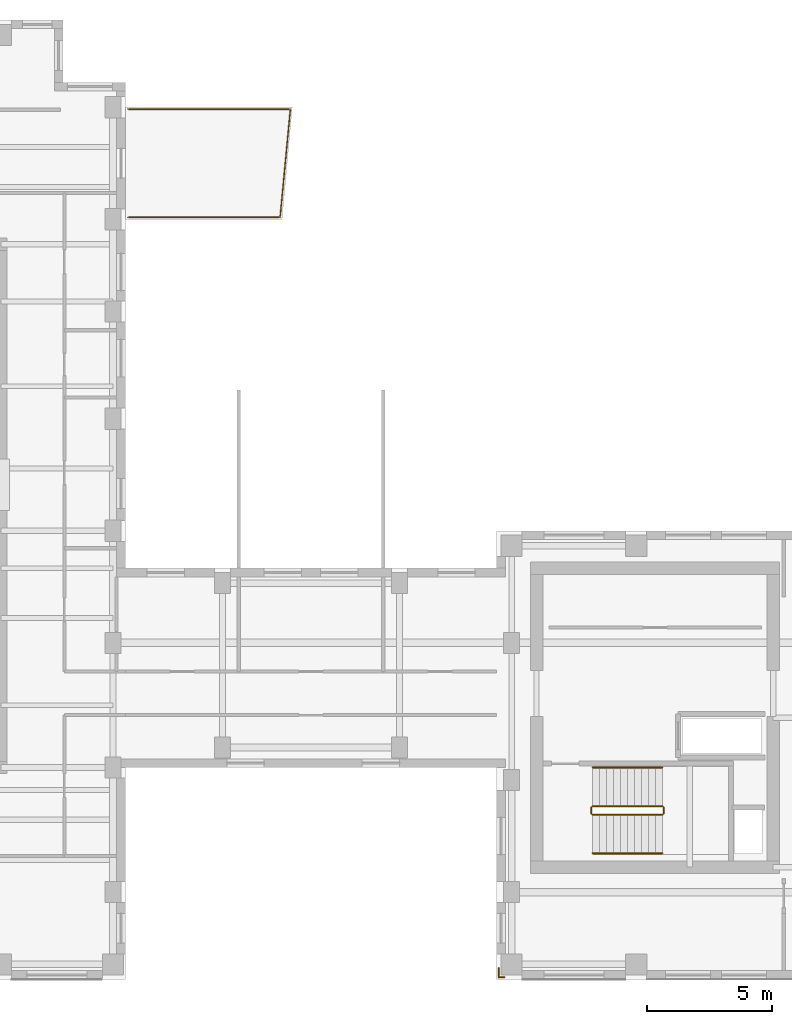
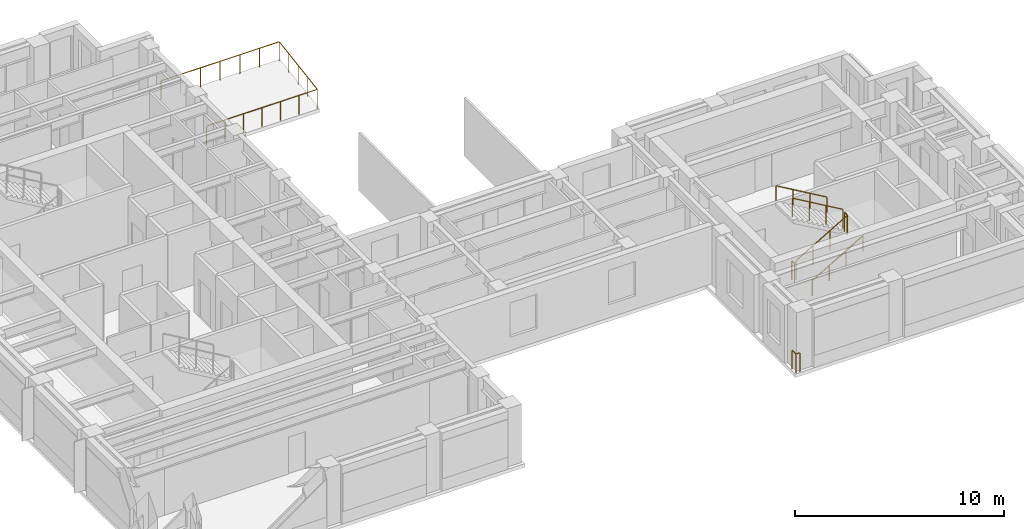
# One storey, part 10 of 10: 8 railings.
"""IFC4 building model written with IfcOpenShell, lengths in metres."""

from ifc_helpers import new_model, si_unit, direction, frame, origin, origin_2d, place, context, subcontext, project, spatial, circle, extrude, source, transform, mapped, material, layer, layer_set, type_object, element, save


model = new_model("IFC4")

# Units and contexts
model_context = context("Model", 3, precision=1e-05, world=origin(), true_north=direction((0.0, 1.0)))
body_context = subcontext(model_context, "Body", "Model", "MODEL_VIEW")
ifc_project = project(units=[si_unit("LENGTHUNIT", "METRE"), si_unit("AREAUNIT", "SQUARE_METRE"), si_unit("VOLUMEUNIT", "CUBIC_METRE"), si_unit("PLANEANGLEUNIT", "RADIAN"), si_unit("MASSUNIT", "GRAM", prefix="KILO")], contexts=[model_context])

# Site, building, storey
site_placement = place(None, origin())
site = spatial("IfcSite", under=ifc_project, at=site_placement, CompositionType="ELEMENT")
building_placement = place(site_placement, origin())
building = spatial("IfcBuilding", under=site, at=building_placement, Name="Kharzan Plaza Tower", CompositionType="ELEMENT")
storey_placement = place(building_placement, frame((0.0, 0.0, 223.199951171875)))
storey = spatial("IfcBuildingStorey", under=building, at=storey_placement, Name="L60", CompositionType="ELEMENT", Elevation=223.199951171875)

# Railings
ifc_material_1 = material(Name="Painted Galvanized Architectural Steel", Category="steel")
ifc_layer_1 = layer(ifc_material_1, 0.074951171875)
ifc_layer_set_1 = layer_set([ifc_layer_1], Name="Painted Galvanized Architectural Steel")
railing_type_1 = type_object("IfcRailingType", Name="RL-GUARD-1120", PredefinedType="BALUSTRADE", material=ifc_layer_set_1)
shared_shape_1 = source(origin(), body_context, "Body", "SweptSolid", [
    extrude(circle(Radius=0.02392578125, at=origin_2d()), frame((0.0, 0.0263671875, 1.09619140625), z_axis=(0.0, 1.0, 0.0), x_axis=(-1.0, 0.0, 0.0)), (0.0, 0.0, 1.0), 0.197021484375),
    extrude(circle(Radius=0.02099609375, at=origin_2d()), origin(), (0.0, 0.0, 1.0), 1.072021484375),
    extrude(circle(Radius=0.02099609375, at=origin_2d()), frame((0.0, 0.25, 0.0)), (0.0, 0.0, 1.0), 1.072021484375),
])
for number, where, name in (
    (1, (41.10009765625, 6.64990234375, 1.800048828125), "L60 ST-3 stair guard 2"),
    (2, (38.199951171875, 6.64990234375, 0.0), "L60 ST-3 stair guard 4"),
):
    element("IfcRailing", number, at=place(storey_placement, frame(where)), inside=storey, type_object=railing_type_1, Name=name, PredefinedType="BALUSTRADE", context=body_context, shape_type="MappedRepresentation", body=[
        mapped(shared_shape_1, transform((0.0, 0.0, 0.0), x_axis=(1.0, 0.0, 0.0), y_axis=(0.0, 1.0, 0.0), z_axis=(0.0, 0.0, 1.0))),
    ])
shared_shape_2 = source(origin(), body_context, "Body", "SweptSolid", [
    extrude(circle(Radius=0.02392578125, at=origin_2d()), frame((0.02294921875, 0.0, 1.109375), z_axis=(0.863360870873, 0.0, 0.504586966384), x_axis=(0.0, 1.0, 0.0)), (0.0, 0.0, 1.0), 3.190185546875),
    extrude(circle(Radius=0.02099609375, at=origin_2d()), origin(), (0.0, 0.0, 1.0), 1.072021484375),
    extrude(circle(Radius=0.02099609375, at=origin_2d()), frame((0.933349609375, 0.0, 0.54541015625)), (0.0, 0.0, 1.0), 1.072021484375),
    extrude(circle(Radius=0.02099609375, at=origin_2d()), frame((1.86669921875, 0.0, 1.091064453125)), (0.0, 0.0, 1.0), 1.072021484375),
    extrude(circle(Radius=0.02099609375, at=origin_2d()), frame((2.800048828125, 0.0, 1.636474609375)), (0.0, 0.0, 1.0), 1.072021484375),
])
railing_1_placement = place(storey_placement, frame((38.25, 6.60009765625, 0.16357421875)))
element("IfcRailing", 3, at=railing_1_placement, inside=storey, type_object=railing_type_1, Name="L60 ST-3 stair guard 1", PredefinedType="BALUSTRADE", context=body_context, shape_type="MappedRepresentation", body=[
    mapped(shared_shape_2, transform((0.0, 0.0, 0.0), x_axis=(1.0, 0.0, 0.0), y_axis=(0.0, 1.0, 0.0), z_axis=(0.0, 0.0, 1.0))),
])
shared_shape_3 = source(origin(), body_context, "Body", "SweptSolid", [
    extrude(circle(Radius=0.02392578125, at=origin_2d()), frame((-0.02294921875, 0.0, 1.109375), z_axis=(-0.863360870873, 0.0, 0.504586966384), x_axis=(0.0, -1.0, 0.0)), (0.0, 0.0, 1.0), 3.190185546875),
    extrude(circle(Radius=0.02099609375, at=origin_2d()), origin(), (0.0, 0.0, 1.0), 1.072021484375),
    extrude(circle(Radius=0.02099609375, at=origin_2d()), frame((-0.933349609375, 0.0, 0.54541015625)), (0.0, 0.0, 1.0), 1.072021484375),
    extrude(circle(Radius=0.02099609375, at=origin_2d()), frame((-1.86669921875, 0.0, 1.091064453125)), (0.0, 0.0, 1.0), 1.072021484375),
    extrude(circle(Radius=0.02099609375, at=origin_2d()), frame((-2.800048828125, 0.0, 1.636474609375)), (0.0, 0.0, 1.0), 1.072021484375),
])
railing_2_placement = place(storey_placement, frame((41.050048828125, 6.949951171875, 1.963623046875)))
element("IfcRailing", 4, at=railing_2_placement, inside=storey, type_object=railing_type_1, Name="L60 ST-3 stair guard 3", PredefinedType="BALUSTRADE", context=body_context, shape_type="MappedRepresentation", body=[
    mapped(shared_shape_3, transform((0.0, 0.0, 0.0), x_axis=(1.0, 0.0, 0.0), y_axis=(0.0, 1.0, 0.0), z_axis=(0.0, 0.0, 1.0))),
])
ifc_material_2 = material(Name="Brushed Stainless Steel", Category="steel")
ifc_layer_2 = layer(ifc_material_2, 0.050048828125)
ifc_layer_set_2 = layer_set([ifc_layer_2], Name="Brushed Stainless Steel")
railing_type_2 = type_object("IfcRailingType", Name="RL-STAIR-HR920", PredefinedType="HANDRAIL", material=ifc_layer_set_2)
shared_shape_4 = source(origin(), body_context, "Body", "SweptSolid", [
    extrude(circle(Radius=0.02392578125, at=origin_2d()), frame((0.02294921875, 0.0, 0.88916015625), z_axis=(0.863360870873, 0.0, 0.504586966384), x_axis=(0.0, 1.0, 0.0)), (0.0, 0.0, 1.0), 3.190185546875),
    extrude(circle(Radius=0.02099609375, at=origin_2d()), origin(), (0.0, 0.0, 1.0), 0.851806640625),
    extrude(circle(Radius=0.02099609375, at=origin_2d()), frame((0.933349609375, 0.0, 0.54541015625)), (0.0, 0.0, 1.0), 0.851806640625),
    extrude(circle(Radius=0.02099609375, at=origin_2d()), frame((1.86669921875, 0.0, 1.091064453125)), (0.0, 0.0, 1.0), 0.851806640625),
    extrude(circle(Radius=0.02099609375, at=origin_2d()), frame((2.800048828125, 0.0, 1.636474609375)), (0.0, 0.0, 1.0), 0.851806640625),
])
railing_3_placement = place(storey_placement, frame((38.25, 5.050048828125, 0.16357421875)))
element("IfcRailing", 5, at=railing_3_placement, inside=storey, type_object=railing_type_2, Name="L60 ST-3 stair handrail 1", PredefinedType="HANDRAIL", context=body_context, shape_type="MappedRepresentation", body=[
    mapped(shared_shape_4, transform((0.0, 0.0, 0.0), x_axis=(1.0, 0.0, 0.0), y_axis=(0.0, 1.0, 0.0), z_axis=(0.0, 0.0, 1.0))),
])
shared_shape_5 = source(origin(), body_context, "Body", "SweptSolid", [
    extrude(circle(Radius=0.02392578125, at=origin_2d()), frame((-0.02294921875, 0.0, 0.88916015625), z_axis=(-0.863360870873, 0.0, 0.504586966384), x_axis=(0.0, -1.0, 0.0)), (0.0, 0.0, 1.0), 3.190185546875),
    extrude(circle(Radius=0.02099609375, at=origin_2d()), origin(), (0.0, 0.0, 1.0), 0.851806640625),
    extrude(circle(Radius=0.02099609375, at=origin_2d()), frame((-0.933349609375, 0.0, 0.54541015625)), (0.0, 0.0, 1.0), 0.851806640625),
    extrude(circle(Radius=0.02099609375, at=origin_2d()), frame((-1.86669921875, 0.0, 1.091064453125)), (0.0, 0.0, 1.0), 0.851806640625),
    extrude(circle(Radius=0.02099609375, at=origin_2d()), frame((-2.800048828125, 0.0, 1.636474609375)), (0.0, 0.0, 1.0), 0.851806640625),
])
railing_4_placement = place(storey_placement, frame((41.050048828125, 8.5, 1.963623046875)))
element("IfcRailing", 6, at=railing_4_placement, inside=storey, type_object=railing_type_2, Name="L60 ST-3 stair handrail 2", PredefinedType="HANDRAIL", context=body_context, shape_type="MappedRepresentation", body=[
    mapped(shared_shape_5, transform((0.0, 0.0, 0.0), x_axis=(1.0, 0.0, 0.0), y_axis=(0.0, 1.0, 0.0), z_axis=(0.0, 0.0, 1.0))),
])
shared_shape_6 = source(origin(), body_context, "Body", "SweptSolid", [
    extrude(circle(Radius=0.02392578125, at=origin_2d()), frame((0.0263671875, 0.0, 1.09619140625), z_axis=(1.0, 0.0, 0.0), x_axis=(0.0, 1.0, 0.0)), (0.0, 0.0, 1.0), 6.056884765625),
    extrude(circle(Radius=0.02392578125, at=origin_2d()), frame((6.1123046875, 0.0263671875, 1.09619140625), z_axis=(0.094090176669, 0.995563678855, 0.0), x_axis=(-0.995563678855, 0.094090176669, 0.0)), (0.0, 0.0, 1.0), 4.306396484375),
    extrude(circle(Radius=0.02392578125, at=origin_2d()), frame((6.49365234375, 4.33984375, 1.09619140625), z_axis=(-1.0, 0.0, 0.0), x_axis=(0.0, -1.0, 0.0)), (0.0, 0.0, 1.0), 6.467041015625),
    extrude(circle(Radius=0.02099609375, at=origin_2d()), origin(), (0.0, 0.0, 1.0), 1.072021484375),
    extrude(circle(Radius=0.02099609375, at=origin_2d()), frame((1.018310546875, 0.0, 0.0)), (0.0, 0.0, 1.0), 1.072021484375),
    extrude(circle(Radius=0.02099609375, at=origin_2d()), frame((2.03662109375, 0.0, 0.0)), (0.0, 0.0, 1.0), 1.072021484375),
    extrude(circle(Radius=0.02099609375, at=origin_2d()), frame((3.054931640625, 0.0, 0.0)), (0.0, 0.0, 1.0), 1.072021484375),
    extrude(circle(Radius=0.02099609375, at=origin_2d()), frame((4.0732421875, 0.0, 0.0)), (0.0, 0.0, 1.0), 1.072021484375),
    extrude(circle(Radius=0.02099609375, at=origin_2d()), frame((5.091552734375, 0.0, 0.0)), (0.0, 0.0, 1.0), 1.072021484375),
    extrude(circle(Radius=0.02099609375, at=origin_2d()), frame((6.10986328125, 0.0, 0.0)), (0.0, 0.0, 1.0), 1.072021484375),
    extrude(circle(Radius=0.02099609375, at=origin_2d()), frame((6.21240234375, 1.0849609375, 0.0)), (0.0, 0.0, 1.0), 1.072021484375),
    extrude(circle(Radius=0.02099609375, at=origin_2d()), frame((6.31494140625, 2.169921875, 0.0)), (0.0, 0.0, 1.0), 1.072021484375),
    extrude(circle(Radius=0.02099609375, at=origin_2d()), frame((6.41748046875, 3.2548828125, 0.0)), (0.0, 0.0, 1.0), 1.072021484375),
    extrude(circle(Radius=0.02099609375, at=origin_2d()), frame((6.52001953125, 4.33984375, 0.0)), (0.0, 0.0, 1.0), 1.072021484375),
    extrude(circle(Radius=0.02099609375, at=origin_2d()), frame((5.433349609375, 4.33984375, 0.0)), (0.0, 0.0, 1.0), 1.072021484375),
    extrude(circle(Radius=0.02099609375, at=origin_2d()), frame((4.3466796875, 4.33984375, 0.0)), (0.0, 0.0, 1.0), 1.072021484375),
    extrude(circle(Radius=0.02099609375, at=origin_2d()), frame((3.260009765625, 4.33984375, 0.0)), (0.0, 0.0, 1.0), 1.072021484375),
    extrude(circle(Radius=0.02099609375, at=origin_2d()), frame((2.17333984375, 4.33984375, 0.0)), (0.0, 0.0, 1.0), 1.072021484375),
    extrude(circle(Radius=0.02099609375, at=origin_2d()), frame((1.086669921875, 4.33984375, 0.0)), (0.0, 0.0, 1.0), 1.072021484375),
    extrude(circle(Radius=0.02099609375, at=origin_2d()), frame((0.0, 4.33984375, 0.0)), (0.0, 0.0, 1.0), 1.072021484375),
])
railing_5_placement = place(storey_placement, frame((19.60009765625, 30.580078125, 0.0)))
element("IfcRailing", 7, at=railing_5_placement, inside=storey, type_object=railing_type_1, Name="L60 Cantilevered Sky-Terrace Tray Balustrade", PredefinedType="BALUSTRADE", context=body_context, shape_type="MappedRepresentation", body=[
    mapped(shared_shape_6, transform((0.0, 0.0, 0.0), x_axis=(1.0, 0.0, 0.0), y_axis=(0.0, 1.0, 0.0), z_axis=(0.0, 0.0, 1.0))),
])
shared_shape_7 = source(origin(), body_context, "Body", "SweptSolid", [
    extrude(circle(Radius=0.02392578125, at=origin_2d()), frame((-0.0263671875, 0.0, 1.09619140625), z_axis=(-1.0, 0.0, 0.0), x_axis=(0.0, -1.0, 0.0)), (0.0, 0.0, 1.0), 0.1669921875),
    extrude(circle(Radius=0.02392578125, at=origin_2d()), frame((-0.219970703125, 0.0263671875, 1.09619140625), z_axis=(0.0, 1.0, 0.0), x_axis=(-1.0, 0.0, 0.0)), (0.0, 0.0, 1.0), 0.31689453125),
    extrude(circle(Radius=0.02099609375, at=origin_2d()), origin(), (0.0, 0.0, 1.0), 1.072021484375),
    extrude(circle(Radius=0.02099609375, at=origin_2d()), frame((-0.219970703125, 0.0, 0.0)), (0.0, 0.0, 1.0), 1.072021484375),
    extrude(circle(Radius=0.02099609375, at=origin_2d()), frame((-0.219970703125, 0.369873046875, 0.0)), (0.0, 0.0, 1.0), 1.072021484375),
])
railing_6_placement = place(storey_placement, frame((34.699951171875, 0.080078125, 0.0)))
element("IfcRailing", 8, at=railing_6_placement, inside=storey, type_object=railing_type_1, Name="L60 South-West Wing B Slot Corner Safety Guard", PredefinedType="BALUSTRADE", context=body_context, shape_type="MappedRepresentation", body=[
    mapped(shared_shape_7, transform((0.0, 0.0, 0.0), x_axis=(1.0, 0.0, 0.0), y_axis=(0.0, 1.0, 0.0), z_axis=(0.0, 0.0, 1.0))),
])

save(model, "model.ifc")
